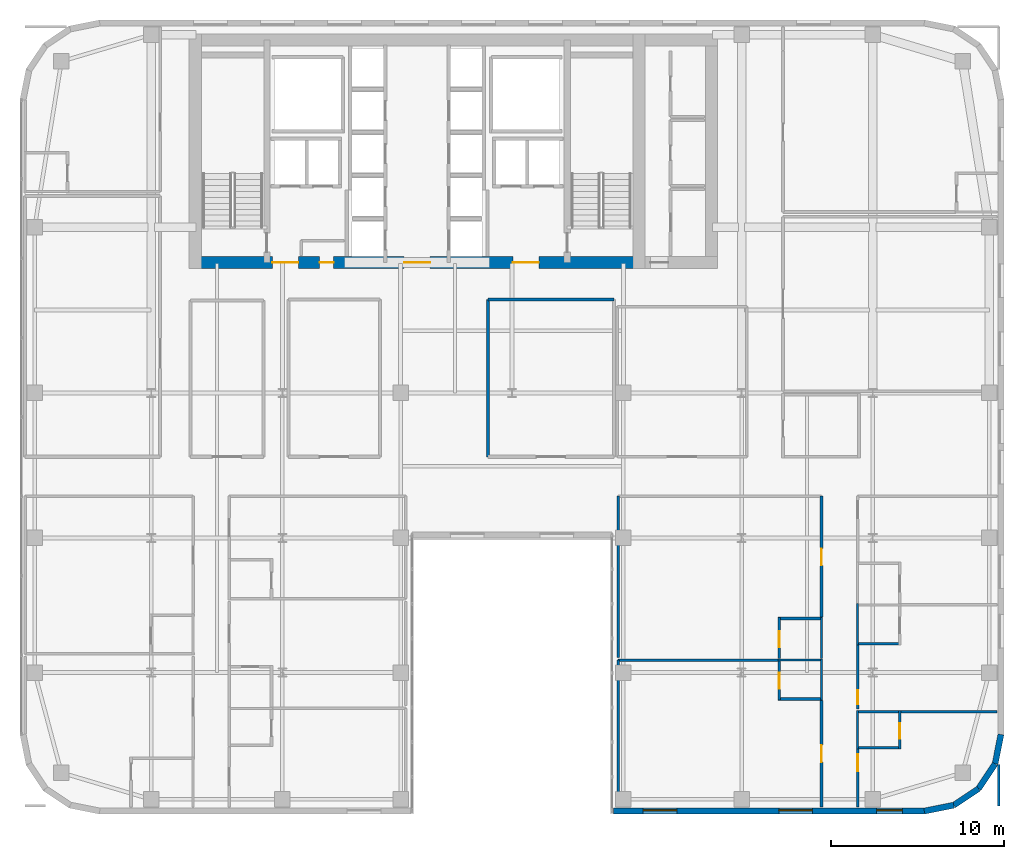
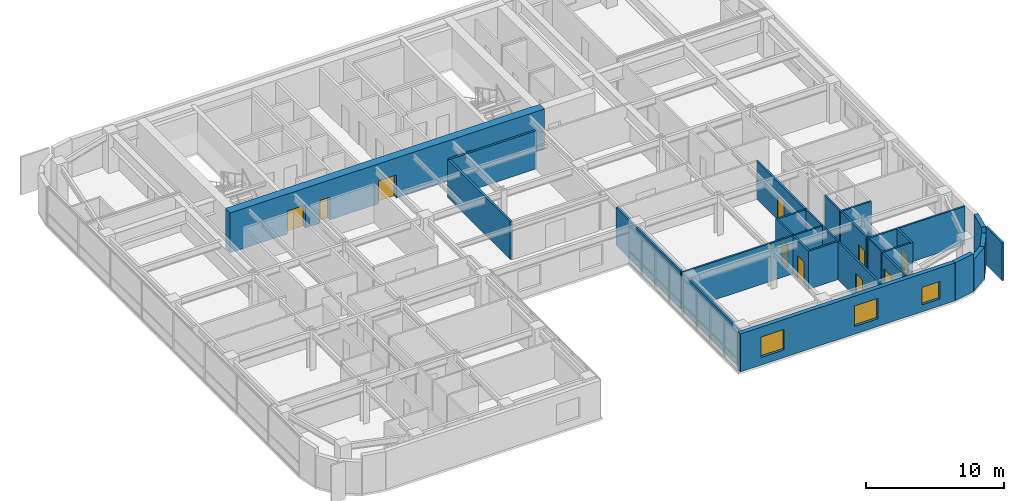
# One storey, part 25 of 30: 30 walls, 11 doors, 3 windows, 14 openings.
"""IFC4 building model written with IfcOpenShell, lengths in metres."""

from ifc_helpers import new_model, si_unit, direction, frame, frame_2d, origin, place, context, subcontext, project, spatial, rectangle, extrude, source, transform, mapped, material, layer, layer_set, type_object, type_shapes, element, fill, save


model = new_model("IFC4")

# Units and contexts
model_context = context("Model", 3, precision=1e-05, world=origin(), true_north=direction((0.0, 1.0)))
body_context = subcontext(model_context, "Body", "Model", "MODEL_VIEW")
ifc_project = project(units=[si_unit("LENGTHUNIT", "METRE"), si_unit("AREAUNIT", "SQUARE_METRE"), si_unit("VOLUMEUNIT", "CUBIC_METRE"), si_unit("PLANEANGLEUNIT", "RADIAN"), si_unit("MASSUNIT", "GRAM", prefix="KILO")], contexts=[model_context])

# Site, building, storey
site_placement = place(None, origin())
site = spatial("IfcSite", under=ifc_project, at=site_placement, CompositionType="ELEMENT")
building_placement = place(site_placement, origin())
building = spatial("IfcBuilding", under=site, at=building_placement, Name="Tolvann Quenvar Hotel", CompositionType="ELEMENT")
storey_placement = place(building_placement, frame((0.0, 0.0, 100.89990234375)))
storey = spatial("IfcBuildingStorey", under=building, at=storey_placement, Name="L25", CompositionType="ELEMENT", Elevation=100.89990234375)

# Wall, openings, doors
ifc_material_1 = material(Name="Concrete S65 (65 MPa)", Category="concrete")
ifc_layer_1 = layer(ifc_material_1, 0.699951171875)
ifc_layer_set_1 = layer_set([ifc_layer_1], Name="Concrete S65 (65 MPa)")
wall_type_1 = type_object("IfcWallType", Name="WALL_CORE_700", PredefinedType="SHEAR", material=ifc_layer_set_1)
wall_1_placement = place(storey_placement, frame((9.800048828125, 31.949951171875, 0.0), z_axis=(0.0, 0.0, 1.0), x_axis=(1.0, 0.0, 0.0)))
wall_1 = element("IfcWall", 1, at=wall_1_placement, inside=storey, type_object=wall_type_1, Name="Rear Core S Shear Wall (L25)", PredefinedType="SHEAR", context=body_context, shape_type="SweptSolid", body=[
    extrude(rectangle(XDim=26.39990234375, YDim=0.699951171875, at=frame_2d((13.199951171875, 0.0))), origin(), (0.0, 0.0, 1.0), 3.550048828125),
])
opening_1_placement = place(wall_1_placement, frame((6.320068359375, 0.0, 0.0), z_axis=(0.0, 0.0, 1.0), x_axis=(-1.0, 0.0, 0.0)))
opening_1 = element("IfcOpeningElement", 2, at=opening_1_placement, cuts=wall_1, Name="Opening FD-60D", PredefinedType="OPENING", context=body_context, shape_type="SweptSolid", body=[
    extrude(rectangle(XDim=1.5, YDim=2.0400390625, at=frame_2d((0.75, 1.02001953125))), frame((0.0, 0.35986328125, 0.0), z_axis=(0.0, -1.0, 0.0), x_axis=(1.0, 0.0, 0.0)), (0.0, 0.0, 1.0), 0.719970703125),
])
opening_2_placement = place(wall_1_placement, frame((13.949951171875, 0.0, 0.0), z_axis=(0.0, 0.0, 1.0), x_axis=(-1.0, 0.0, 0.0)))
opening_2 = element("IfcOpeningElement", 3, at=opening_2_placement, cuts=wall_1, Name="Opening FD-60D", PredefinedType="OPENING", context=body_context, shape_type="SweptSolid", body=[
    extrude(rectangle(XDim=1.5, YDim=2.0400390625, at=frame_2d((0.75, 1.02001953125))), frame((0.0, 0.35986328125, 0.0), z_axis=(0.0, -1.0, 0.0), x_axis=(1.0, 0.0, 0.0)), (0.0, 0.0, 1.0), 0.719970703125),
])
opening_3_placement = place(wall_1_placement, frame((20.25, 0.0, 0.0), z_axis=(0.0, 0.0, 1.0), x_axis=(-1.0, 0.0, 0.0)))
opening_3 = element("IfcOpeningElement", 4, at=opening_3_placement, cuts=wall_1, Name="Opening FD-60D", PredefinedType="OPENING", context=body_context, shape_type="SweptSolid", body=[
    extrude(rectangle(XDim=1.5, YDim=2.0400390625, at=frame_2d((0.75, 1.02001953125))), frame((0.0, 0.35986328125, 0.0), z_axis=(0.0, -1.0, 0.0), x_axis=(1.0, 0.0, 0.0)), (0.0, 0.0, 1.0), 0.719970703125),
])
opening_4_placement = place(wall_1_placement, frame((8.3701171875, 0.0, 0.0), z_axis=(0.0, 0.0, 1.0), x_axis=(-1.0, 0.0, 0.0)))
opening_4 = element("IfcOpeningElement", 5, at=opening_4_placement, cuts=wall_1, Name="Opening HD-02", PredefinedType="OPENING", context=body_context, shape_type="SweptSolid", body=[
    extrude(rectangle(XDim=0.820068359375, YDim=2.010009765625, at=frame_2d((0.41015625, 1.0048828125))), frame((0.0, 0.35986328125, 0.0), z_axis=(0.0, -1.0, 0.0), x_axis=(1.0, 0.0, 0.0)), (0.0, 0.0, 1.0), 0.719970703125),
])
ifc_material_2 = material(Name="Solid-core American oak acoustic fire door leaf in steel frame", Category="steel")
door_type_1 = type_object("IfcDoorType", Name="DOOR_FIRE_LOBBY_1500", OperationType="NOTDEFINED", PredefinedType="DOOR", material=ifc_material_2)
shared_shape_1 = source(origin(), body_context, "Body", "SweptSolid", [
    extrude(rectangle(XDim=1.5, YDim=2.0400390625, at=frame_2d((0.75, 1.02001953125))), frame((0.0, 0.02490234375, 0.0), z_axis=(0.0, -1.0, 0.0), x_axis=(1.0, 0.0, 0.0)), (0.0, 0.0, 1.0), 0.050048828125),
])
type_shapes(door_type_1, [shared_shape_1])
door_1_placement = place(opening_1_placement, origin())
door_1 = element("IfcDoor", 6, at=door_1_placement, inside=storey, type_object=door_type_1, Name="Core Lobby Fire Door FFW (L25)", OperationType="DOUBLE_DOOR_SINGLE_SWING", OverallHeight=2.0400390625, OverallWidth=1.5, PredefinedType="DOOR", context=body_context, shape_type="MappedRepresentation", body=[
    mapped(shared_shape_1, transform((0.0, 0.0, 0.0), x_axis=(1.0, 0.0, 0.0), y_axis=(0.0, 1.0, 0.0), z_axis=(0.0, 0.0, 1.0), scale=1.0)),
])
fill(opening_1, door_1)
door_2_placement = place(opening_2_placement, origin())
door_2 = element("IfcDoor", 7, at=door_2_placement, inside=storey, type_object=door_type_1, Name="Core Lobby Fire Door CLOB (L25)", OperationType="DOUBLE_DOOR_SINGLE_SWING", OverallHeight=2.0400390625, OverallWidth=1.5, PredefinedType="DOOR", context=body_context, shape_type="MappedRepresentation", body=[
    mapped(shared_shape_1, transform((0.0, 0.0, 0.0), x_axis=(1.0, 0.0, 0.0), y_axis=(0.0, 1.0, 0.0), z_axis=(0.0, 0.0, 1.0), scale=1.0)),
])
fill(opening_2, door_2)
door_3_placement = place(opening_3_placement, origin())
door_3 = element("IfcDoor", 8, at=door_3_placement, inside=storey, type_object=door_type_1, Name="Core Lobby Fire Door FFE (L25)", OperationType="DOUBLE_DOOR_SINGLE_SWING", OverallHeight=2.0400390625, OverallWidth=1.5, PredefinedType="DOOR", context=body_context, shape_type="MappedRepresentation", body=[
    mapped(shared_shape_1, transform((0.0, 0.0, 0.0), x_axis=(1.0, 0.0, 0.0), y_axis=(0.0, 1.0, 0.0), z_axis=(0.0, 0.0, 1.0), scale=1.0)),
])
fill(opening_3, door_3)
ifc_material_3 = material(Name="Pressed galvanised steel fire-rated door set", Category="steel")
door_type_2 = type_object("IfcDoorType", Name="DOOR_STORE_820", OperationType="NOTDEFINED", PredefinedType="DOOR", material=ifc_material_3)
shared_shape_2 = source(origin(), body_context, "Body", "SweptSolid", [
    extrude(rectangle(XDim=0.820068359375, YDim=2.010009765625, at=frame_2d((0.41015625, 1.0048828125))), frame((0.0, 0.02490234375, 0.0), z_axis=(0.0, -1.0, 0.0), x_axis=(1.0, 0.0, 0.0)), (0.0, 0.0, 1.0), 0.050048828125),
])
type_shapes(door_type_2, [shared_shape_2])
door_4_placement = place(opening_4_placement, origin())
door_4 = element("IfcDoor", 9, at=door_4_placement, inside=storey, type_object=door_type_2, Name="Core Linen Store Fire Door (L25)", OperationType="SINGLE_SWING_LEFT", OverallHeight=2.010009765625, OverallWidth=0.820068359375, PredefinedType="DOOR", context=body_context, shape_type="MappedRepresentation", body=[
    mapped(shared_shape_2, transform((0.0, 0.0, 0.0), x_axis=(1.0, 0.0, 0.0), y_axis=(0.0, 1.0, 0.0), z_axis=(0.0, 0.0, 1.0), scale=1.0)),
])
fill(opening_4, door_4)

# Wall, openings, windows
ifc_material_4 = material(Name="Kiln-fired red and buff architectural clay brickwork and terracotta masonry", Category="masonry")
ifc_layer_2 = layer(ifc_material_4, 0.35009765625)
ifc_layer_set_2 = layer_set([ifc_layer_2], Name="Kiln-fired red and buff architectural clay brickwork and terracotta masonry")
wall_type_2 = type_object("IfcWallType", Name="WALL_EXT_BRICK_350", PredefinedType="SOLIDWALL", material=ifc_layer_set_2)
wall_2_placement = place(storey_placement, frame((34.375, 0.175048828125, 0.0), z_axis=(0.0, 0.0, 1.0), x_axis=(1.0, 0.0, 0.0)))
wall_2 = element("IfcWall", 10, at=wall_2_placement, inside=storey, type_object=wall_type_2, Name="Exterior Chicago Brick Wall L25-E08", PredefinedType="SOLIDWALL", context=body_context, shape_type="SweptSolid", body=[
    extrude(rectangle(XDim=18.0078125, YDim=0.35009765625, at=frame_2d((9.00390625, 0.0))), origin(), (0.0, 0.0, 1.0), 3.3701171875),
])
opening_5_placement = place(wall_2_placement, frame((1.72607421875, 0.0, 0.679931640625)))
opening_5 = element("IfcOpeningElement", 11, at=opening_5_placement, cuts=wall_2, Name="Opening W-10", PredefinedType="OPENING", context=body_context, shape_type="SweptSolid", body=[
    extrude(rectangle(XDim=1.949951171875, YDim=1.820068359375, at=frame_2d((0.97509765625, 0.91015625))), frame((0.0, 0.18505859375, 0.0), z_axis=(0.0, -1.0, 0.0), x_axis=(1.0, 0.0, 0.0)), (0.0, 0.0, 1.0), 0.3701171875),
])
opening_6_placement = place(wall_2_placement, frame((9.580078125, 0.0, 0.679931640625)))
opening_6 = element("IfcOpeningElement", 12, at=opening_6_placement, cuts=wall_2, Name="Opening W-10", PredefinedType="OPENING", context=body_context, shape_type="SweptSolid", body=[
    extrude(rectangle(XDim=1.949951171875, YDim=1.820068359375, at=frame_2d((0.97509765625, 0.91015625))), frame((0.0, 0.18505859375, 0.0), z_axis=(0.0, -1.0, 0.0), x_axis=(1.0, 0.0, 0.0)), (0.0, 0.0, 1.0), 0.3701171875),
])
opening_7_placement = place(wall_2_placement, frame((15.240966796875, 0.0, 0.6201171875)))
opening_7 = element("IfcOpeningElement", 13, at=opening_7_placement, cuts=wall_2, Name="Opening W-08", PredefinedType="OPENING", context=body_context, shape_type="SweptSolid", body=[
    extrude(rectangle(XDim=1.5, YDim=1.550048828125, at=frame_2d((0.75, 0.77490234375))), frame((0.0, 0.18505859375, 0.0), z_axis=(0.0, -1.0, 0.0), x_axis=(1.0, 0.0, 0.0)), (0.0, 0.0, 1.0), 0.3701171875),
])
ifc_material_5 = material(Name="Thermally broken bronze-anodised aluminium frame with double low-E glazing", Category="aluminium")
window_type_1 = type_object("IfcWindowType", Name="WIN_COR_1500x2050", PartitioningType="SINGLE_PANEL", PredefinedType="WINDOW", material=ifc_material_5)
shared_shape_3 = source(origin(), body_context, "Body", "SweptSolid", [
    extrude(rectangle(XDim=1.5, YDim=1.550048828125, at=frame_2d((0.75, 0.77490234375))), frame((0.0, 0.090087890625, 0.0), z_axis=(0.0, -1.0, 0.0), x_axis=(1.0, 0.0, 0.0)), (0.0, 0.0, 1.0), 0.06005859375),
])
type_shapes(window_type_1, [shared_shape_3])
window_1_placement = place(opening_7_placement, origin())
window_1 = element("IfcWindow", 14, at=window_1_placement, inside=storey, type_object=window_type_1, Name="Chicago Window W-08 (EW-L25-E08-WD03)", OverallHeight=1.550048828125, OverallWidth=1.5, PartitioningType="SINGLE_PANEL", PredefinedType="WINDOW", context=body_context, shape_type="MappedRepresentation", body=[
    mapped(shared_shape_3, transform((0.0, 0.0, 0.0), x_axis=(1.0, 0.0, 0.0), y_axis=(0.0, 1.0, 0.0), z_axis=(0.0, 0.0, 1.0), scale=1.0)),
])
fill(opening_7, window_1)
window_type_2 = type_object("IfcWindowType", Name="WIN_CLB_1950x1850", PartitioningType="DOUBLE_PANEL_VERTICAL", PredefinedType="WINDOW", material=ifc_material_5)
shared_shape_4 = source(origin(), body_context, "Body", "SweptSolid", [
    extrude(rectangle(XDim=1.949951171875, YDim=1.820068359375, at=frame_2d((0.97509765625, 0.91015625))), frame((0.0, 0.090087890625, 0.0), z_axis=(0.0, -1.0, 0.0), x_axis=(1.0, 0.0, 0.0)), (0.0, 0.0, 1.0), 0.06005859375),
])
type_shapes(window_type_2, [shared_shape_4])
window_2_placement = place(opening_5_placement, origin())
window_2 = element("IfcWindow", 15, at=window_2_placement, inside=storey, type_object=window_type_2, Name="Chicago Window W-10 (EW-L25-E08-W01)", OverallHeight=1.820068359375, OverallWidth=1.949951171875, PartitioningType="DOUBLE_PANEL_VERTICAL", PredefinedType="WINDOW", context=body_context, shape_type="MappedRepresentation", body=[
    mapped(shared_shape_4, transform((0.0, 0.0, 0.0), x_axis=(1.0, 0.0, 0.0), y_axis=(0.0, 1.0, 0.0), z_axis=(0.0, 0.0, 1.0), scale=1.0)),
])
fill(opening_5, window_2)
window_3_placement = place(opening_6_placement, origin())
window_3 = element("IfcWindow", 16, at=window_3_placement, inside=storey, type_object=window_type_2, Name="Chicago Window W-10 (EW-L25-E08-W02)", OverallHeight=1.820068359375, OverallWidth=1.949951171875, PartitioningType="DOUBLE_PANEL_VERTICAL", PredefinedType="WINDOW", context=body_context, shape_type="MappedRepresentation", body=[
    mapped(shared_shape_4, transform((0.0, 0.0, 0.0), x_axis=(1.0, 0.0, 0.0), y_axis=(0.0, 1.0, 0.0), z_axis=(0.0, 0.0, 1.0), scale=1.0)),
])
fill(opening_6, window_3)

# Walls
wall_3_placement = place(storey_placement, frame((52.3828125, 0.175048828125, 0.0), z_axis=(0.0, 0.0, 1.0), x_axis=(0.980800971659, 0.195011420161, 0.0)))
element("IfcWall", 17, at=wall_3_placement, inside=storey, type_object=wall_type_2, Name="Exterior Chicago Brick Wall L25-E09", PredefinedType="SOLIDWALL", context=body_context, shape_type="SweptSolid", body=[
    extrude(rectangle(XDim=1.74267578125, YDim=0.35009765625, at=frame_2d((0.871337890625, 0.0))), origin(), (0.0, 0.0, 1.0), 3.3701171875),
])
for number, where, z_axis, x_axis, name in (
    (18, (54.092041015625, 0.514892578125, 0.0), (0.0, 0.0, 1.0), (0.831483840845, 0.55554893791, 0.0), "Exterior Chicago Brick Wall L25-E10"),
    (19, (55.526611328125, 1.473388671875, 0.0), (0.0, 0.0, 1.0), (0.55554893791, 0.831483840845, 0.0), "Exterior Chicago Brick Wall L25-E11"),
):
    element("IfcWall", number, at=place(storey_placement, frame(where, z_axis=z_axis, x_axis=x_axis)), inside=storey, type_object=wall_type_2, Name=name, PredefinedType="SOLIDWALL", context=body_context, shape_type="SweptSolid", body=[
        extrude(rectangle(XDim=1.725341796875, YDim=0.35009765625, at=frame_2d((0.86279296875, 0.0))), origin(), (0.0, 0.0, 1.0), 2.83203125),
    ])
wall_4_placement = place(storey_placement, frame((56.485107421875, 2.907958984375, 0.0), z_axis=(0.0, 0.0, 1.0), x_axis=(0.195011420161, 0.980800971659, 0.0)))
element("IfcWall", 20, at=wall_4_placement, inside=storey, type_object=wall_type_2, Name="Exterior Chicago Brick Wall L25-E12", PredefinedType="SOLIDWALL", context=body_context, shape_type="SweptSolid", body=[
    extrude(rectangle(XDim=1.74267578125, YDim=0.35009765625, at=frame_2d((0.871337890625, 0.0))), origin(), (0.0, 0.0, 1.0), 3.3701171875),
])
ifc_material_6 = material(Name="Acoustic twin-stud fire-rated gypsum plasterboard partition")
ifc_layer_3 = layer(ifc_material_6, 0.179931640625)
ifc_layer_set_3 = layer_set([ifc_layer_3], Name="Acoustic twin-stud fire-rated gypsum plasterboard partition")
wall_type_3 = type_object("IfcWallType", Name="WALL_PART_ACOUSTIC_180", PredefinedType="PARTITIONING", material=ifc_layer_set_3)
wall_5_placement = place(storey_placement, frame((27.10009765625, 29.800048828125, 0.0), z_axis=(0.0, 0.0, 1.0), x_axis=(1.0, 0.0, 0.0)))
element("IfcWall", 21, at=wall_5_placement, inside=storey, type_object=wall_type_3, Name="Interior Partition PT-SPC-L25-MSP-C-N", PredefinedType="PARTITIONING", context=body_context, shape_type="SweptSolid", body=[
    extrude(rectangle(XDim=7.2998046875, YDim=0.179931640625, at=frame_2d((3.64990234375, 0.0))), origin(), (0.0, 0.0, 1.0), 3.3701171875),
])
wall_6_placement = place(storey_placement, frame((27.10009765625, 20.699951171875, 0.0), z_axis=(0.0, 0.0, 1.0), x_axis=(0.0, 1.0, 0.0)))
element("IfcWall", 22, at=wall_6_placement, inside=storey, type_object=wall_type_3, Name="Interior Partition PT-SPC-L25-MSP-C-W", PredefinedType="PARTITIONING", context=body_context, shape_type="SweptSolid", body=[
    extrude(rectangle(XDim=9.10009765625, YDim=0.179931640625, at=frame_2d((4.550048828125, 0.0))), origin(), (0.0, 0.0, 1.0), 3.3701171875),
])
ifc_material_7 = material(Name="Moisture-resistant acoustic plumbing wall assembly")
ifc_layer_4 = layer(ifc_material_7, 0.1201171875)
ifc_layer_set_4 = layer_set([ifc_layer_4], Name="Moisture-resistant acoustic plumbing wall assembly")
wall_type_4 = type_object("IfcWallType", Name="WALL_PART_BATH_120", PredefinedType="PLUMBINGWALL", material=ifc_layer_set_4)
wall_7_placement = place(storey_placement, frame((43.909912109375, 8.919921875, 0.0), z_axis=(0.0, 0.0, 1.0), x_axis=(1.0, 0.0, 0.0)))
element("IfcWall", 23, at=wall_7_placement, inside=storey, type_object=wall_type_4, Name="Non-Rated Plumbing Partition PT-SPC-L25-ENS-EI01-N", PredefinedType="PLUMBINGWALL", context=body_context, shape_type="SweptSolid", body=[
    extrude(rectangle(XDim=2.590087890625, YDim=0.1201171875, at=frame_2d((1.294921875, 0.0))), origin(), (0.0, 0.0, 1.0), 3.3701171875),
])
for number, where, z_axis, x_axis, name in (
    (24, (46.429931640625, 6.60009765625, 0.0), (0.0, 0.0, 1.0), (0.0, 1.0, 0.0), "Non-Rated Plumbing Partition PT-SPC-L25-ENS-EI01-E"),
    (25, (46.429931640625, 9.010009765625, 0.0), (0.0, 0.0, 1.0), (0.0, 1.0, 0.0), "Non-Rated Plumbing Partition PT-SPC-L25-ENS-EI02-E"),
):
    element("IfcWall", number, at=place(storey_placement, frame(where, z_axis=z_axis, x_axis=x_axis)), inside=storey, type_object=wall_type_4, Name=name, PredefinedType="PLUMBINGWALL", context=body_context, shape_type="SweptSolid", body=[
        extrude(rectangle(XDim=2.389892578125, YDim=0.1201171875, at=frame_2d((1.19482421875, 0.0))), origin(), (0.0, 0.0, 1.0), 3.3701171875),
    ])
wall_8_placement = place(storey_placement, frame((48.52001953125, 3.782958984375, 0.0), z_axis=(0.0, 0.0, 1.0), x_axis=(0.0, 1.0, 0.0)))
element("IfcWall", 26, at=wall_8_placement, inside=storey, type_object=wall_type_4, Name="Non-Rated Plumbing Partition PT-SPC-L25-ENS-EO01-W", PredefinedType="PLUMBINGWALL", context=body_context, shape_type="SweptSolid", body=[
    extrude(rectangle(XDim=2.20703125, YDim=0.1201171875, at=frame_2d((1.103515625, 0.0))), origin(), (0.0, 0.0, 1.0), 3.3701171875),
])
wall_9_placement = place(storey_placement, frame((48.52001953125, 9.800048828125, 0.0), z_axis=(0.0, 0.0, 1.0), x_axis=(0.0, 1.0, 0.0)))
element("IfcWall", 27, at=wall_9_placement, inside=storey, type_object=wall_type_4, Name="Non-Rated Plumbing Partition PT-SPC-L25-ENS-EO02-W", PredefinedType="PLUMBINGWALL", context=body_context, shape_type="SweptSolid", body=[
    extrude(rectangle(XDim=2.389892578125, YDim=0.1201171875, at=frame_2d((1.19482421875, 0.0))), origin(), (0.0, 0.0, 1.0), 3.3701171875),
])

# Wall, opening, door
ifc_layer_5 = layer(ifc_material_6, 0.14990234375)
ifc_layer_set_5 = layer_set([ifc_layer_5], Name="Acoustic twin-stud fire-rated gypsum plasterboard partition")
wall_type_5 = type_object("IfcWallType", Name="WALL_PART_SUITE_150", PredefinedType="PARTITIONING", material=ifc_layer_set_5)
wall_10_placement = place(storey_placement, frame((43.97998046875, 6.60009765625, 0.0), z_axis=(0.0, 0.0, 1.0), x_axis=(0.0, 1.0, 0.0)))
wall_10 = element("IfcWall", 28, at=wall_10_placement, inside=storey, type_object=wall_type_5, Name="Interior Partition PT-SPC-L25-ENS-EI01-ENT", PredefinedType="PARTITIONING", context=body_context, shape_type="SweptSolid", body=[
    extrude(rectangle(XDim=2.389892578125, YDim=0.14990234375, at=frame_2d((1.19482421875, 0.0))), origin(), (0.0, 0.0, 1.0), 3.3701171875),
])
opening_8_placement = place(wall_10_placement, frame((0.6650390625, 0.0, 0.0)))
opening_8 = element("IfcOpeningElement", 29, at=opening_8_placement, cuts=wall_10, Name="Opening WD-01", PredefinedType="OPENING", context=body_context, shape_type="SweptSolid", body=[
    extrude(rectangle(XDim=0.919921875, YDim=2.010009765625, at=frame_2d((0.4599609375, 1.0048828125))), frame((0.0, 0.0849609375, 0.0), z_axis=(0.0, -1.0, 0.0), x_axis=(1.0, 0.0, 0.0)), (0.0, 0.0, 1.0), 0.169921875),
])
door_type_3 = type_object("IfcDoorType", Name="DOOR_WC_920", OperationType="NOTDEFINED", PredefinedType="DOOR", material=ifc_material_2)
shared_shape_5 = source(origin(), body_context, "Body", "SweptSolid", [
    extrude(rectangle(XDim=0.919921875, YDim=2.010009765625, at=frame_2d((0.4599609375, 1.0048828125))), frame((0.0, 0.02490234375, 0.0), z_axis=(0.0, -1.0, 0.0), x_axis=(1.0, 0.0, 0.0)), (0.0, 0.0, 1.0), 0.050048828125),
])
type_shapes(door_type_3, [shared_shape_5])
door_5_placement = place(opening_8_placement, origin())
door_5 = element("IfcDoor", 30, at=door_5_placement, inside=storey, type_object=door_type_3, Name="Interior Door DOOR-SPC-L25-ENS-EI01", OperationType="SINGLE_SWING_RIGHT", OverallHeight=2.010009765625, OverallWidth=0.919921875, PredefinedType="DOOR", context=body_context, shape_type="MappedRepresentation", body=[
    mapped(shared_shape_5, transform((0.0, 0.0, 0.0), x_axis=(1.0, 0.0, 0.0), y_axis=(0.0, 1.0, 0.0), z_axis=(0.0, 0.0, 1.0), scale=1.0)),
])
fill(opening_8, door_5)

# Wall
wall_11_placement = place(storey_placement, frame((43.909912109375, 6.669921875, 0.0), z_axis=(0.0, 0.0, 1.0), x_axis=(1.0, 0.0, 0.0)))
element("IfcWall", 31, at=wall_11_placement, inside=storey, type_object=wall_type_5, Name="Interior Partition PT-SPC-L25-ENS-EI01-S", PredefinedType="PARTITIONING", context=body_context, shape_type="SweptSolid", body=[
    extrude(rectangle(XDim=2.590087890625, YDim=0.14990234375, at=frame_2d((1.294921875, 0.0))), origin(), (0.0, 0.0, 1.0), 3.3701171875),
])

# Wall, opening, door
wall_12_placement = place(storey_placement, frame((43.97998046875, 9.010009765625, 0.0), z_axis=(0.0, 0.0, 1.0), x_axis=(0.0, 1.0, 0.0)))
wall_12 = element("IfcWall", 32, at=wall_12_placement, inside=storey, type_object=wall_type_5, Name="Interior Partition PT-SPC-L25-ENS-EI02-ENT", PredefinedType="PARTITIONING", context=body_context, shape_type="SweptSolid", body=[
    extrude(rectangle(XDim=2.389892578125, YDim=0.14990234375, at=frame_2d((1.19482421875, 0.0))), origin(), (0.0, 0.0, 1.0), 3.3701171875),
])
opening_9_placement = place(wall_12_placement, frame((0.6650390625, 0.0, 0.0)))
opening_9 = element("IfcOpeningElement", 33, at=opening_9_placement, cuts=wall_12, Name="Opening WD-01", PredefinedType="OPENING", context=body_context, shape_type="SweptSolid", body=[
    extrude(rectangle(XDim=0.919921875, YDim=2.010009765625, at=frame_2d((0.4599609375, 1.0048828125))), frame((0.0, 0.0849609375, 0.0), z_axis=(0.0, -1.0, 0.0), x_axis=(1.0, 0.0, 0.0)), (0.0, 0.0, 1.0), 0.169921875),
])
door_6_placement = place(opening_9_placement, origin())
door_6 = element("IfcDoor", 34, at=door_6_placement, inside=storey, type_object=door_type_3, Name="Interior Door DOOR-SPC-L25-ENS-EI02", OperationType="SINGLE_SWING_LEFT", OverallHeight=2.010009765625, OverallWidth=0.919921875, PredefinedType="DOOR", context=body_context, shape_type="MappedRepresentation", body=[
    mapped(shared_shape_5, transform((0.0, 0.0, 0.0), x_axis=(1.0, 0.0, 0.0), y_axis=(0.0, 1.0, 0.0), z_axis=(0.0, 0.0, 1.0), scale=1.0)),
])
fill(opening_9, door_6)

# Wall
wall_13_placement = place(storey_placement, frame((43.909912109375, 11.330078125, 0.0), z_axis=(0.0, 0.0, 1.0), x_axis=(1.0, 0.0, 0.0)))
element("IfcWall", 35, at=wall_13_placement, inside=storey, type_object=wall_type_5, Name="Interior Partition PT-SPC-L25-ENS-EI02-N", PredefinedType="PARTITIONING", context=body_context, shape_type="SweptSolid", body=[
    extrude(rectangle(XDim=2.590087890625, YDim=0.14990234375, at=frame_2d((1.294921875, 0.0))), origin(), (0.0, 0.0, 1.0), 3.3701171875),
])

# Wall, opening, door
wall_14_placement = place(storey_placement, frame((50.969970703125, 3.782958984375, 0.0), z_axis=(0.0, 0.0, 1.0), x_axis=(0.0, 1.0, 0.0)))
wall_14 = element("IfcWall", 36, at=wall_14_placement, inside=storey, type_object=wall_type_5, Name="Interior Partition PT-SPC-L25-ENS-EO01-ENT", PredefinedType="PARTITIONING", context=body_context, shape_type="SweptSolid", body=[
    extrude(rectangle(XDim=2.20703125, YDim=0.14990234375, at=frame_2d((1.103515625, 0.0))), origin(), (0.0, 0.0, 1.0), 3.3701171875),
])
opening_10_placement = place(wall_14_placement, frame((0.573486328125, 0.0, 0.0)))
opening_10 = element("IfcOpeningElement", 37, at=opening_10_placement, cuts=wall_14, Name="Opening WD-01", PredefinedType="OPENING", context=body_context, shape_type="SweptSolid", body=[
    extrude(rectangle(XDim=0.919921875, YDim=2.010009765625, at=frame_2d((0.4599609375, 1.0048828125))), frame((0.0, 0.0849609375, 0.0), z_axis=(0.0, -1.0, 0.0), x_axis=(1.0, 0.0, 0.0)), (0.0, 0.0, 1.0), 0.169921875),
])
door_7_placement = place(opening_10_placement, origin())
door_7 = element("IfcDoor", 38, at=door_7_placement, inside=storey, type_object=door_type_3, Name="Interior Door DOOR-SPC-L25-ENS-EO01", OperationType="SINGLE_SWING_RIGHT", OverallHeight=2.010009765625, OverallWidth=0.919921875, PredefinedType="DOOR", context=body_context, shape_type="MappedRepresentation", body=[
    mapped(shared_shape_5, transform((0.0, 0.0, 0.0), x_axis=(1.0, 0.0, 0.0), y_axis=(0.0, 1.0, 0.0), z_axis=(0.0, 0.0, 1.0), scale=1.0)),
])
fill(opening_10, door_7)

# Walls
for number, where, z_axis, x_axis, name in (
    (39, (48.449951171875, 3.85302734375, 0.0), (0.0, 0.0, 1.0), (1.0, 0.0, 0.0), "Interior Partition PT-SPC-L25-ENS-EO01-S"),
    (40, (48.449951171875, 5.919921875, 0.0), (0.0, 0.0, 1.0), (1.0, 0.0, 0.0), "Interior Partition PT-SPC-L25-ENS-EO01-N"),
    (41, (48.449951171875, 9.8701171875, 0.0), (0.0, 0.0, 1.0), (1.0, 0.0, 0.0), "Interior Partition PT-SPC-L25-ENS-EO02-S"),
):
    element("IfcWall", number, at=place(storey_placement, frame(where, z_axis=z_axis, x_axis=x_axis)), inside=storey, type_object=wall_type_5, Name=name, PredefinedType="PARTITIONING", context=body_context, shape_type="SweptSolid", body=[
        extrude(rectangle(XDim=2.590087890625, YDim=0.14990234375, at=frame_2d((1.294921875, 0.0))), origin(), (0.0, 0.0, 1.0), 3.3701171875),
    ])

# Wall, opening, door
wall_15_placement = place(storey_placement, frame((46.429931640625, 0.405029296875, 0.0), z_axis=(0.0, 0.0, 1.0), x_axis=(0.0, 1.0, 0.0)))
wall_15 = element("IfcWall", 42, at=wall_15_placement, inside=storey, type_object=wall_type_5, Name="Interior Partition PT-SPC-L25-RM-EI01-ENT", PredefinedType="PARTITIONING", context=body_context, shape_type="SweptSolid", body=[
    extrude(rectangle(XDim=6.18505859375, YDim=0.14990234375, at=frame_2d((3.092529296875, 0.0))), origin(), (0.0, 0.0, 1.0), 3.3701171875),
])
opening_11_placement = place(wall_15_placement, frame((2.610107421875, 0.0, 0.0)))
opening_11 = element("IfcOpeningElement", 43, at=opening_11_placement, cuts=wall_15, Name="Opening SD-01", PredefinedType="OPENING", context=body_context, shape_type="SweptSolid", body=[
    extrude(rectangle(XDim=0.97998046875, YDim=2.1201171875, at=frame_2d((0.489990234375, 1.06005859375))), frame((0.0, 0.0849609375, 0.0), z_axis=(0.0, -1.0, 0.0), x_axis=(1.0, 0.0, 0.0)), (0.0, 0.0, 1.0), 0.169921875),
])
door_type_4 = type_object("IfcDoorType", Name="DOOR_SUITE_980", OperationType="NOTDEFINED", PredefinedType="DOOR", material=ifc_material_2)
shared_shape_6 = source(origin(), body_context, "Body", "SweptSolid", [
    extrude(rectangle(XDim=0.97998046875, YDim=2.1201171875, at=frame_2d((0.489990234375, 1.06005859375))), frame((0.0, 0.02490234375, 0.0), z_axis=(0.0, -1.0, 0.0), x_axis=(1.0, 0.0, 0.0)), (0.0, 0.0, 1.0), 0.050048828125),
])
type_shapes(door_type_4, [shared_shape_6])
door_8_placement = place(opening_11_placement, origin())
door_8 = element("IfcDoor", 44, at=door_8_placement, inside=storey, type_object=door_type_4, Name="Interior Door DOOR-SPC-L25-RM-EI01", OperationType="SINGLE_SWING_LEFT", OverallHeight=2.1201171875, OverallWidth=0.97998046875, PredefinedType="DOOR", context=body_context, shape_type="MappedRepresentation", body=[
    mapped(shared_shape_6, transform((0.0, 0.0, 0.0), x_axis=(1.0, 0.0, 0.0), y_axis=(0.0, 1.0, 0.0), z_axis=(0.0, 0.0, 1.0), scale=1.0)),
])
fill(opening_11, door_8)

# Walls
wall_16_placement = place(storey_placement, frame((34.64990234375, 8.919921875, 0.0), z_axis=(0.0, 0.0, 1.0), x_axis=(1.0, 0.0, 0.0)))
element("IfcWall", 45, at=wall_16_placement, inside=storey, type_object=wall_type_5, Name="Interior Partition PT-SPC-L25-RM-EI01-E5", PredefinedType="PARTITIONING", context=body_context, shape_type="SweptSolid", body=[
    extrude(rectangle(XDim=9.31005859375, YDim=0.14990234375, at=frame_2d((4.655029296875, 0.0))), origin(), (0.0, 0.0, 1.0), 3.3701171875),
])
wall_17_placement = place(storey_placement, frame((34.64990234375, 0.405029296875, 0.0), z_axis=(0.0, 0.0, 1.0), x_axis=(0.0, 1.0, 0.0)))
element("IfcWall", 46, at=wall_17_placement, inside=storey, type_object=wall_type_5, Name="Interior Partition PT-SPC-L25-RM-EI01-E6", PredefinedType="PARTITIONING", context=body_context, shape_type="SweptSolid", body=[
    extrude(rectangle(XDim=8.514892578125, YDim=0.14990234375, at=frame_2d((4.25732421875, 0.0))), origin(), (0.0, 0.0, 1.0), 3.3701171875),
])

# Wall, opening, door
wall_18_placement = place(storey_placement, frame((46.429931640625, 11.409912109375, 0.0), z_axis=(0.0, 0.0, 1.0), x_axis=(0.0, 1.0, 0.0)))
wall_18 = element("IfcWall", 47, at=wall_18_placement, inside=storey, type_object=wall_type_5, Name="Interior Partition PT-SPC-L25-RM-EI02-ENT", PredefinedType="PARTITIONING", context=body_context, shape_type="SweptSolid", body=[
    extrude(rectangle(XDim=7.010009765625, YDim=0.14990234375, at=frame_2d((3.5048828125, 0.0))), origin(), (0.0, 0.0, 1.0), 3.3701171875),
])
opening_12_placement = place(wall_18_placement, frame((2.9951171875, 0.0, 0.0)))
opening_12 = element("IfcOpeningElement", 48, at=opening_12_placement, cuts=wall_18, Name="Opening SD-01", PredefinedType="OPENING", context=body_context, shape_type="SweptSolid", body=[
    extrude(rectangle(XDim=0.97998046875, YDim=2.1201171875, at=frame_2d((0.489990234375, 1.06005859375))), frame((0.0, 0.0849609375, 0.0), z_axis=(0.0, -1.0, 0.0), x_axis=(1.0, 0.0, 0.0)), (0.0, 0.0, 1.0), 0.169921875),
])
door_9_placement = place(opening_12_placement, origin())
door_9 = element("IfcDoor", 49, at=door_9_placement, inside=storey, type_object=door_type_4, Name="Interior Door DOOR-SPC-L25-RM-EI02", OperationType="SINGLE_SWING_RIGHT", OverallHeight=2.1201171875, OverallWidth=0.97998046875, PredefinedType="DOOR", context=body_context, shape_type="MappedRepresentation", body=[
    mapped(shared_shape_6, transform((0.0, 0.0, 0.0), x_axis=(1.0, 0.0, 0.0), y_axis=(0.0, 1.0, 0.0), z_axis=(0.0, 0.0, 1.0), scale=1.0)),
])
fill(opening_12, door_9)

# Wall
wall_19_placement = place(storey_placement, frame((34.64990234375, 9.080078125, 0.0), z_axis=(0.0, 0.0, 1.0), x_axis=(0.0, 1.0, 0.0)))
element("IfcWall", 50, at=wall_19_placement, inside=storey, type_object=wall_type_5, Name="Interior Partition PT-SPC-L25-RM-EI02-E6", PredefinedType="PARTITIONING", context=body_context, shape_type="SweptSolid", body=[
    extrude(rectangle(XDim=9.33984375, YDim=0.14990234375, at=frame_2d((4.669921875, 0.0))), origin(), (0.0, 0.0, 1.0), 3.3701171875),
])

# Wall, opening, door
wall_20_placement = place(storey_placement, frame((48.52001953125, 0.405029296875, 0.0), z_axis=(0.0, 0.0, 1.0), x_axis=(0.0, 1.0, 0.0)))
wall_20 = element("IfcWall", 51, at=wall_20_placement, inside=storey, type_object=wall_type_5, Name="Interior Partition PT-SPC-L25-RM-EO01-ENT", PredefinedType="PARTITIONING", context=body_context, shape_type="SweptSolid", body=[
    extrude(rectangle(XDim=3.367919921875, YDim=0.14990234375, at=frame_2d((1.68408203125, 0.0))), origin(), (0.0, 0.0, 1.0), 3.3701171875),
])
opening_13_placement = place(wall_20_placement, frame((2.077880859375, 0.0, 0.0)))
opening_13 = element("IfcOpeningElement", 52, at=opening_13_placement, cuts=wall_20, Name="Opening SD-01", PredefinedType="OPENING", context=body_context, shape_type="SweptSolid", body=[
    extrude(rectangle(XDim=0.97998046875, YDim=2.1201171875, at=frame_2d((0.489990234375, 1.06005859375))), frame((0.0, 0.0849609375, 0.0), z_axis=(0.0, -1.0, 0.0), x_axis=(1.0, 0.0, 0.0)), (0.0, 0.0, 1.0), 0.169921875),
])
door_10_placement = place(opening_13_placement, origin())
door_10 = element("IfcDoor", 53, at=door_10_placement, inside=storey, type_object=door_type_4, Name="Interior Door DOOR-SPC-L25-RM-EO01", OperationType="SINGLE_SWING_LEFT", OverallHeight=2.1201171875, OverallWidth=0.97998046875, PredefinedType="DOOR", context=body_context, shape_type="MappedRepresentation", body=[
    mapped(shared_shape_6, transform((0.0, 0.0, 0.0), x_axis=(1.0, 0.0, 0.0), y_axis=(0.0, 1.0, 0.0), z_axis=(0.0, 0.0, 1.0), scale=1.0)),
])
fill(opening_13, door_10)

# Walls
wall_21_placement = place(storey_placement, frame((56.699951171875, 0.47998046875, 0.0), z_axis=(0.0, 0.0, 1.0), x_axis=(0.0, 1.0, 0.0)))
element("IfcWall", 54, at=wall_21_placement, inside=storey, type_object=wall_type_5, Name="Interior Partition PT-SPC-L25-RM-EO01-E2", PredefinedType="PARTITIONING", context=body_context, shape_type="SweptSolid", body=[
    extrude(rectangle(XDim=2.385009765625, YDim=0.14990234375, at=frame_2d((1.1923828125, 0.0))), origin(), (0.0, 0.0, 1.0), 3.3701171875),
])
wall_22_placement = place(storey_placement, frame((50.989990234375, 5.919921875, 0.0), z_axis=(0.0, 0.0, 1.0), x_axis=(1.0, 0.0, 0.0)))
element("IfcWall", 55, at=wall_22_placement, inside=storey, type_object=wall_type_5, Name="Interior Partition PT-SPC-L25-RM-EO01-E3", PredefinedType="PARTITIONING", context=body_context, shape_type="SweptSolid", body=[
    extrude(rectangle(XDim=5.60498046875, YDim=0.14990234375, at=frame_2d((2.802490234375, 0.0))), origin(), (0.0, 0.0, 1.0), 3.3701171875),
])

# Wall, opening, door
wall_23_placement = place(storey_placement, frame((48.52001953125, 6.080078125, 0.0), z_axis=(0.0, 0.0, 1.0), x_axis=(0.0, 1.0, 0.0)))
wall_23 = element("IfcWall", 56, at=wall_23_placement, inside=storey, type_object=wall_type_5, Name="Interior Partition PT-SPC-L25-RM-EO02-ENT", PredefinedType="PARTITIONING", context=body_context, shape_type="SweptSolid", body=[
    extrude(rectangle(XDim=3.7099609375, YDim=0.14990234375, at=frame_2d((1.85498046875, 0.0))), origin(), (0.0, 0.0, 1.0), 3.3701171875),
])
opening_14_placement = place(wall_23_placement, frame((0.27001953125, 0.0, 0.0)))
opening_14 = element("IfcOpeningElement", 57, at=opening_14_placement, cuts=wall_23, Name="Opening HD-02", PredefinedType="OPENING", context=body_context, shape_type="SweptSolid", body=[
    extrude(rectangle(XDim=0.820068359375, YDim=2.010009765625, at=frame_2d((0.41015625, 1.0048828125))), frame((0.0, 0.0849609375, 0.0), z_axis=(0.0, -1.0, 0.0), x_axis=(1.0, 0.0, 0.0)), (0.0, 0.0, 1.0), 0.169921875),
])
door_11_placement = place(opening_14_placement, origin())
door_11 = element("IfcDoor", 58, at=door_11_placement, inside=storey, type_object=door_type_2, Name="Interior Door DOOR-SPC-L25-RM-EO02", OperationType="SINGLE_SWING_RIGHT", OverallHeight=2.010009765625, OverallWidth=0.820068359375, PredefinedType="DOOR", context=body_context, shape_type="MappedRepresentation", body=[
    mapped(shared_shape_2, transform((0.0, 0.0, 0.0), x_axis=(1.0, 0.0, 0.0), y_axis=(0.0, 1.0, 0.0), z_axis=(0.0, 0.0, 1.0), scale=1.0)),
])
fill(opening_14, door_11)

save(model, "model.ifc")
